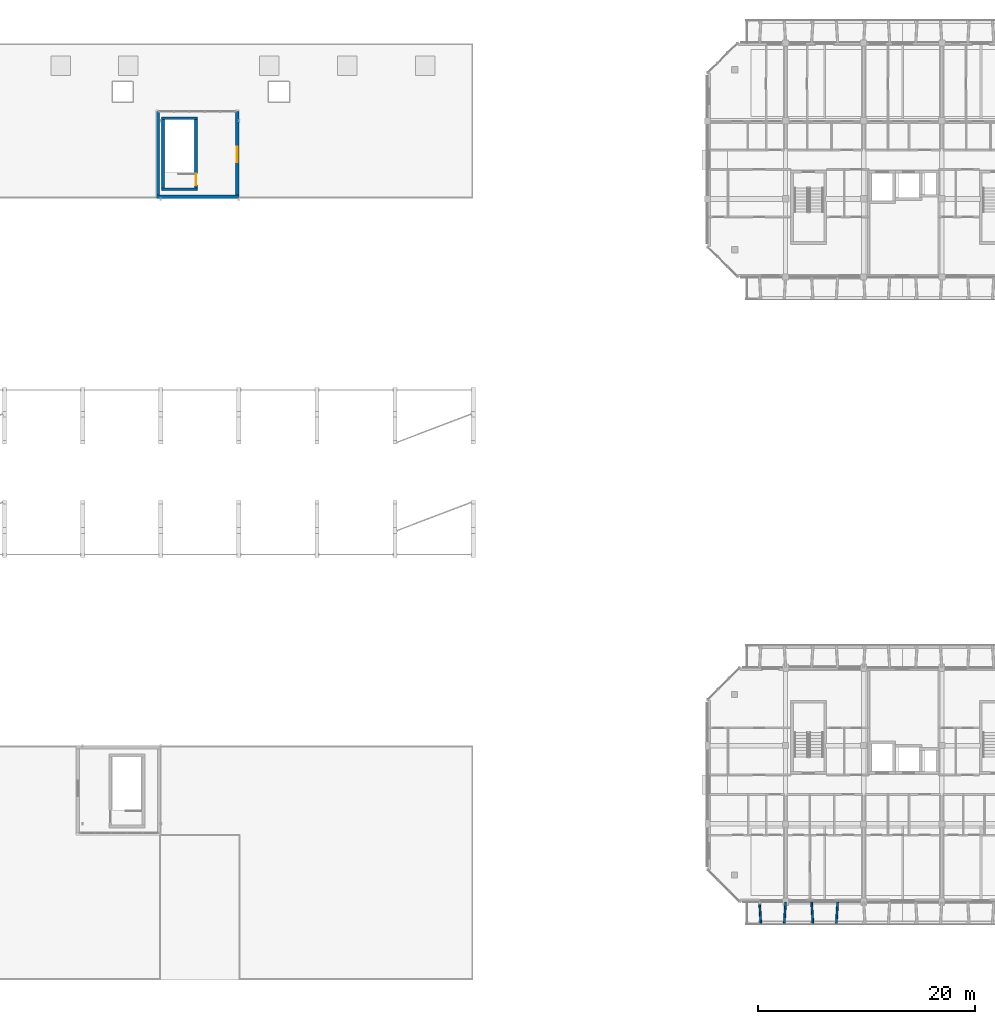
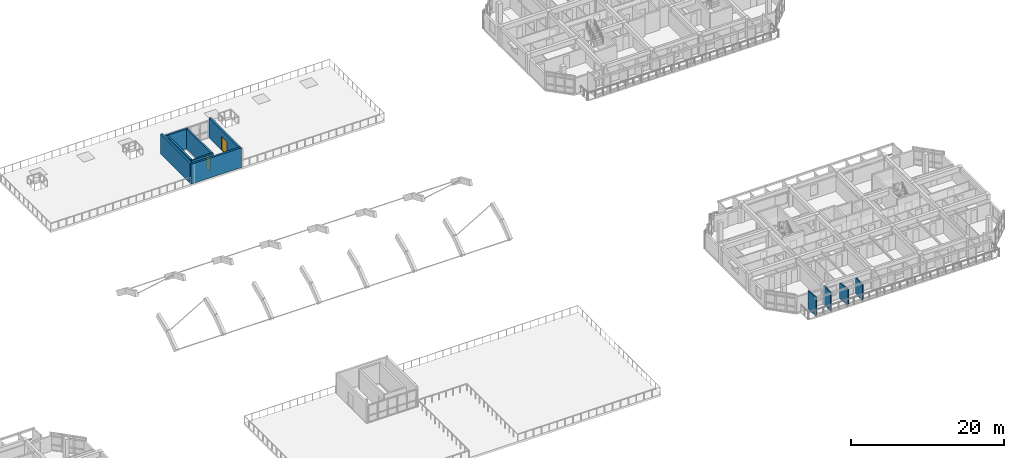
# One storey, part 39 of 64: 11 walls, 2 doors, 2 openings.
"""IFC4 building model written with IfcOpenShell, lengths in metres."""

from ifc_helpers import new_model, si_unit, direction, frame, frame_2d, origin, place, context, subcontext, project, spatial, rectangle, extrude, material, layer, layer_set, type_object, element, fill, save


model = new_model("IFC4")

# Units and contexts
model_context = context("Model", 3, precision=1e-05, world=origin(), true_north=direction((0.0, 1.0)))
body_context = subcontext(model_context, "Body", "Model", "MODEL_VIEW")
ifc_project = project(units=[si_unit("LENGTHUNIT", "METRE"), si_unit("AREAUNIT", "SQUARE_METRE"), si_unit("VOLUMEUNIT", "CUBIC_METRE"), si_unit("PLANEANGLEUNIT", "RADIAN"), si_unit("MASSUNIT", "GRAM", prefix="KILO")], contexts=[model_context])

# Site, building, storey
site_placement = place(None, origin())
site = spatial("IfcSite", under=ifc_project, at=site_placement, CompositionType="ELEMENT")
building_placement = place(site_placement, origin())
building = spatial("IfcBuilding", under=site, at=building_placement, Name="Ochrevale Crest", CompositionType="ELEMENT")
storey_placement = place(building_placement, frame((0.0, 0.0, 8.699951171875)))
storey = spatial("IfcBuildingStorey", under=building, at=storey_placement, Name="L02", CompositionType="ELEMENT", Elevation=8.699951171875)

# Walls
ifc_material_1 = material(Name="Precast concrete C50/60", Category="concrete")
ifc_layer_1 = layer(ifc_material_1, 0.2548828125)
ifc_layer_set_1 = layer_set([ifc_layer_1], Name="Precast concrete C50/60")
wall_type_1 = type_object("IfcWallType", Name="WL-CORE-255", PredefinedType="SHEAR", material=ifc_layer_set_1)
for number, where, z_axis, x_axis, name in (
    (1, (79.2724609375, 80.10009765625, 0.0), (0.0, 0.0, 1.0), (1.0, 0.0, 0.0), "Nursery stair core wall L02-S"),
    (2, (79.2724609375, 86.64990234375, 0.0), (0.0, 0.0, 1.0), (1.0, 0.0, 0.0), "Nursery stair core wall L02-N"),
):
    element("IfcWall", number, at=place(storey_placement, frame(where, z_axis=z_axis, x_axis=x_axis)), inside=storey, type_object=wall_type_1, Name=name, PredefinedType="SHEAR", context=body_context, shape_type="SweptSolid", body=[
        extrude(rectangle(XDim=3.304931640625, YDim=0.2548828125, at=frame_2d((1.65234375, 0.0))), origin(), (0.0, 0.0, 1.0), 3.150146484375),
    ])
wall_1_placement = place(storey_placement, frame((79.39990234375, 80.2275390625, 0.0), z_axis=(0.0, 0.0, 1.0), x_axis=(0.0, 1.0, 0.0)))
element("IfcWall", 3, at=wall_1_placement, inside=storey, type_object=wall_type_1, Name="Nursery stair core wall L02-W", PredefinedType="SHEAR", context=body_context, shape_type="SweptSolid", body=[
    extrude(rectangle(XDim=6.294921875, YDim=0.2548828125, at=frame_2d((3.1474609375, 0.0))), origin(), (0.0, 0.0, 1.0), 3.150146484375),
])

# Wall, opening, door
wall_2_placement = place(storey_placement, frame((82.449951171875, 80.2275390625, 0.0), z_axis=(0.0, 0.0, 1.0), x_axis=(0.0, 1.0, 0.0)))
wall_2 = element("IfcWall", 4, at=wall_2_placement, inside=storey, type_object=wall_type_1, Name="Nursery stair core wall L02-E", PredefinedType="SHEAR", context=body_context, shape_type="SweptSolid", body=[
    extrude(rectangle(XDim=6.294921875, YDim=0.2548828125, at=frame_2d((3.1474609375, 0.0))), origin(), (0.0, 0.0, 1.0), 3.150146484375),
])
opening_1_placement = place(wall_2_placement, frame((1.300048828125, 0.0, 0.0), z_axis=(0.0, 0.0, 1.0), x_axis=(-1.0, 0.0, 0.0)))
opening_1 = element("IfcOpeningElement", 5, at=opening_1_placement, cuts=wall_2, Name="Opening FD03", PredefinedType="OPENING", context=body_context, shape_type="SweptSolid", body=[
    extrude(rectangle(XDim=1.050048828125, YDim=2.1201171875, at=frame_2d((0.52490234375, 1.06005859375))), frame((0.0, 0.137451171875, 0.0), z_axis=(0.0, -1.0, 0.0), x_axis=(1.0, 0.0, 0.0)), (0.0, 0.0, 1.0), 0.27490234375),
])
ifc_material_2 = material(Name="Solid-core FSC hardwood", Category="wood")
door_type_1 = type_object("IfcDoorType", Name="DR-ST-1050", OperationType="NOTDEFINED", PredefinedType="DOOR", material=ifc_material_2)
door_1_placement = place(opening_1_placement, origin())
door_1 = element("IfcDoor", 6, at=door_1_placement, inside=storey, type_object=door_type_1, Name="Nursery stair ST-N1 L02 door", OperationType="SINGLE_SWING_LEFT", OverallHeight=2.1201171875, OverallWidth=1.050048828125, PredefinedType="DOOR", context=body_context, shape_type="SweptSolid", body=[
    extrude(rectangle(XDim=1.050048828125, YDim=2.1201171875, at=frame_2d((0.52490234375, 1.06005859375))), frame((0.0, 0.02490234375, 0.0), z_axis=(0.0, -1.0, 0.0), x_axis=(1.0, 0.0, 0.0)), (0.0, 0.0, 1.0), 0.050048828125),
])
fill(opening_1, door_1)

ifc_material_3 = material(Name="Clay face brickwork", Category="masonry")
ifc_layer_2 = layer(ifc_material_3, 0.2900390625)
ifc_layer_set_2 = layer_set([ifc_layer_2], Name="Clay face brickwork")
wall_type_2 = type_object("IfcWallType", Name="WL-EXT-BRICK-290", PredefinedType="SOLIDWALL", material=ifc_layer_set_2)
wall_3_placement = place(storey_placement, frame((86.25, 79.39990234375, 0.0), z_axis=(0.0, 0.0, 1.0), x_axis=(0.0, 1.0, 0.0)))
wall_3 = element("IfcWall", 7, at=wall_3_placement, inside=storey, type_object=wall_type_2, Name="North roof-garden conservatory east wall", PredefinedType="SOLIDWALL", context=body_context, shape_type="SweptSolid", body=[
    extrude(rectangle(XDim=7.85009765625, YDim=0.2900390625, at=frame_2d((3.925048828125, 0.0))), origin(), (0.0, 0.0, 1.0), 3.150146484375),
])
opening_2_placement = place(wall_3_placement, frame((4.599853515625, 0.0, 0.0), z_axis=(0.0, 0.0, 1.0), x_axis=(-1.0, 0.0, 0.0)))
opening_2 = element("IfcOpeningElement", 8, at=opening_2_placement, cuts=wall_3, Name="Opening TD03", PredefinedType="OPENING", context=body_context, shape_type="SweptSolid", body=[
    extrude(rectangle(XDim=1.39990234375, YDim=2.199951171875, at=frame_2d((0.699951171875, 1.10009765625))), frame((0.0, 0.155029296875, 0.0), z_axis=(0.0, -1.0, 0.0), x_axis=(1.0, 0.0, 0.0)), (0.0, 0.0, 1.0), 0.31005859375),
])
ifc_material_4 = material(Name="Anodised aluminium 6063-T5 and toughened glass", Category="aluminium")
door_type_2 = type_object("IfcDoorType", Name="DR-RG-1400", OperationType="NOTDEFINED", PredefinedType="DOOR", material=ifc_material_4)
door_2_placement = place(opening_2_placement, origin())
door_2 = element("IfcDoor", 9, at=door_2_placement, inside=storey, type_object=door_type_2, Name="North planted roof garden conservatory door", OperationType="SINGLE_SWING_RIGHT", OverallHeight=2.199951171875, OverallWidth=1.39990234375, PredefinedType="DOOR", context=body_context, shape_type="SweptSolid", body=[
    extrude(rectangle(XDim=1.39990234375, YDim=2.199951171875, at=frame_2d((0.699951171875, 1.10009765625))), frame((0.0, 0.02490234375, 0.0), z_axis=(0.0, -1.0, 0.0), x_axis=(1.0, 0.0, 0.0)), (0.0, 0.0, 1.0), 0.050048828125),
])
fill(opening_2, door_2)

# Walls
wall_4_placement = place(storey_placement, frame((78.800048828125, 79.39990234375, 0.0), z_axis=(0.0, 0.0, 1.0), x_axis=(1.0, 0.0, 0.0)))
element("IfcWall", 10, at=wall_4_placement, inside=storey, type_object=wall_type_2, Name="North roof-garden conservatory S wall", PredefinedType="SOLIDWALL", context=body_context, shape_type="SweptSolid", body=[
    extrude(rectangle(XDim=7.599853515625, YDim=0.2900390625, at=frame_2d((3.7998046875, 0.0))), origin(), (0.0, 0.0, 1.0), 3.150146484375),
])
wall_5_placement = place(storey_placement, frame((78.949951171875, 79.39990234375, 0.0), z_axis=(0.0, 0.0, 1.0), x_axis=(0.0, 1.0, 0.0)))
element("IfcWall", 11, at=wall_5_placement, inside=storey, type_object=wall_type_2, Name="North roof-garden conservatory W wall", PredefinedType="SOLIDWALL", context=body_context, shape_type="SweptSolid", body=[
    extrude(rectangle(XDim=7.85009765625, YDim=0.2900390625, at=frame_2d((3.925048828125, 0.0))), origin(), (0.0, 0.0, 1.0), 3.150146484375),
])
ifc_material_5 = material(Name="Precast concrete C40/50", Category="concrete")
ifc_layer_3 = layer(ifc_material_5, 0.1650390625)
ifc_layer_set_3 = layer_set([ifc_layer_3], Name="Precast concrete C40/50")
wall_type_3 = type_object("IfcWallType", Name="WL-HC-CHEEK-165", PredefinedType="ELEMENTEDWALL", material=ifc_layer_set_3)
for number, where, z_axis, x_axis, name in (
    (12, (134.39990234375, 14.3798828125, 0.0), (0.0, 0.0, 1.0), (0.061170732449, -0.998127317276, 0.0), "Block C L02 S precast honeycomb cheek 1"),
    (13, (136.800048828125, 14.3798828125, 0.0), (0.0, 0.0, 1.0), (-0.061170732449, -0.998127317276, 0.0), "Block C L02 S precast honeycomb cheek 2"),
):
    element("IfcWall", number, at=place(storey_placement, frame(where, z_axis=z_axis, x_axis=x_axis)), inside=storey, type_object=wall_type_3, Name=name, PredefinedType="ELEMENTEDWALL", context=body_context, shape_type="SweptSolid", body=[
        extrude(rectangle(XDim=1.963623046875, YDim=0.1650390625, at=frame_2d((0.98193359375, 0.0))), origin(), (0.0, 0.0, 1.0), 2.949951171875),
    ])
for number, where, z_axis, x_axis, name in (
    (14, (139.199951171875, 14.3798828125, 0.0), (0.0, 0.0, 1.0), (0.061170732449, -0.998127317276, 0.0), "Block C L02 S precast honeycomb cheek 3"),
    (15, (141.60009765625, 14.3798828125, 0.0), (0.0, 0.0, 1.0), (-0.061170732449, -0.998127317276, 0.0), "Block C L02 S precast honeycomb cheek 4"),
):
    element("IfcWall", number, at=place(storey_placement, frame(where, z_axis=z_axis, x_axis=x_axis)), inside=storey, type_object=wall_type_3, Name=name, PredefinedType="ELEMENTEDWALL", context=body_context, shape_type="SweptSolid", body=[
        extrude(rectangle(XDim=1.963623046875, YDim=0.1650390625, at=frame_2d((0.98193359375, 0.0))), origin(), (0.0, 0.0, 1.0), 2.530029296875),
    ])

save(model, "model.ifc")
